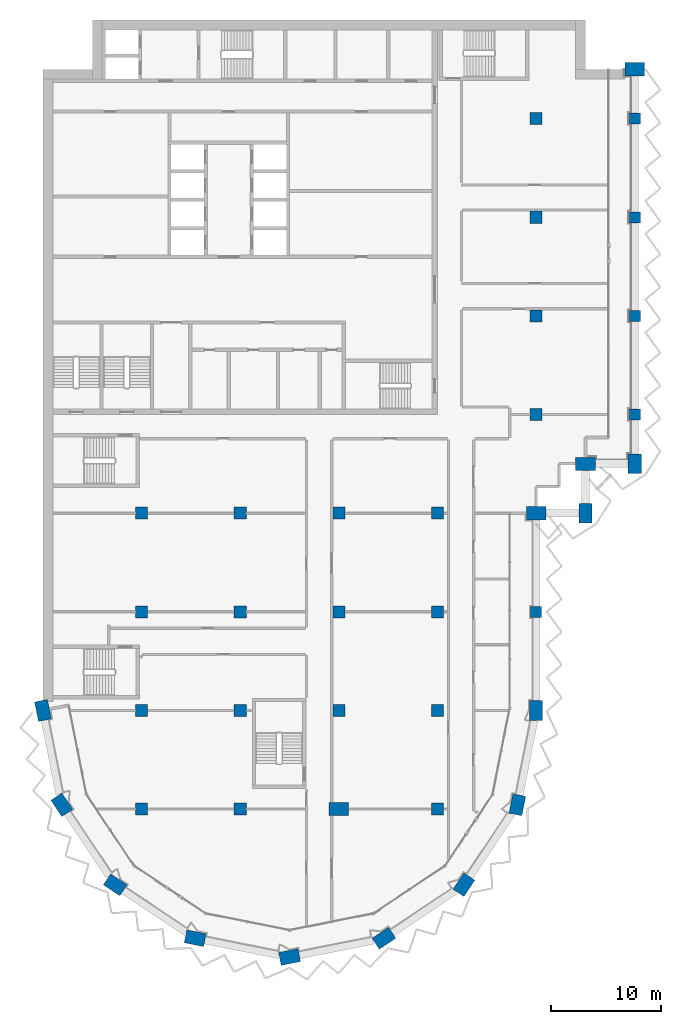
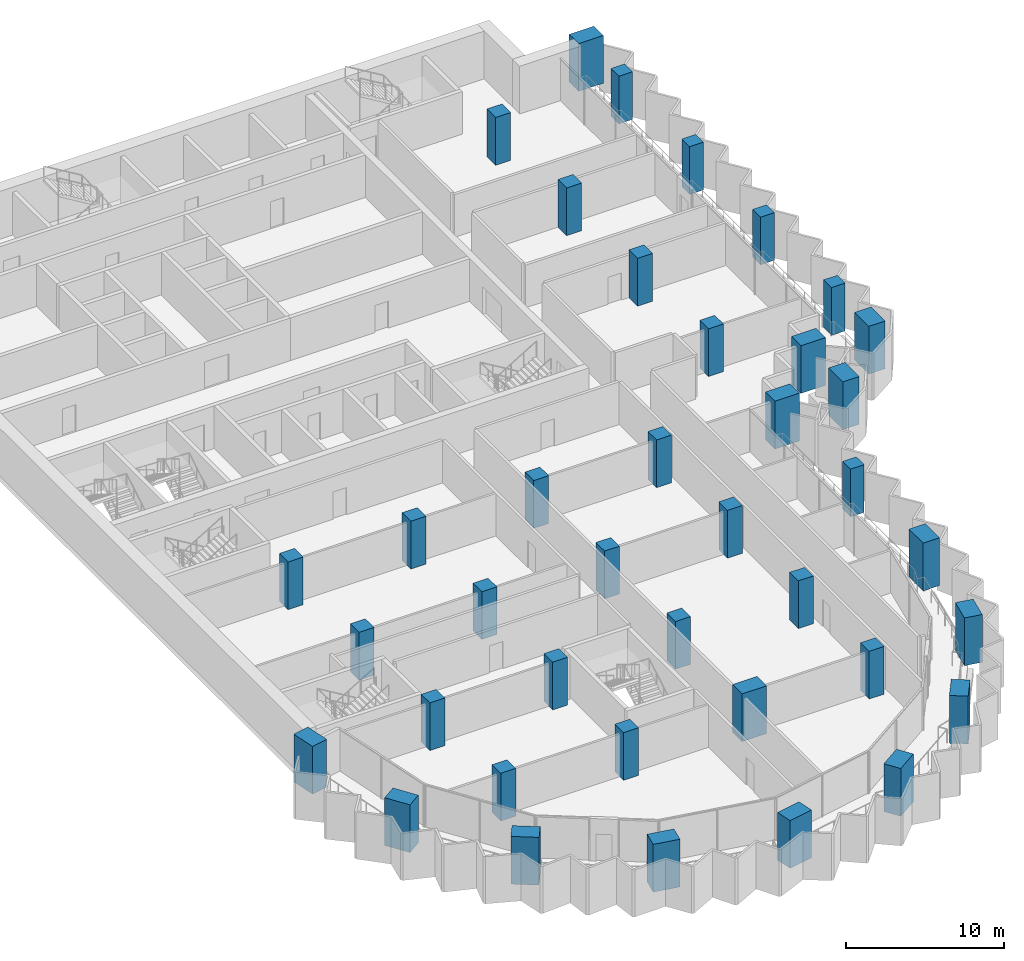
# One storey, part 1 of 17: 39 columns.
"""IFC4 building model written with IfcOpenShell, lengths in metres."""

from ifc_helpers import new_model, si_unit, direction, frame, origin, origin_2d, place, context, subcontext, project, spatial, rectangle, extrude, material, material_profile, profile_set, type_object, element, save


model = new_model("IFC4")

# Units and contexts
model_context = context("Model", 3, precision=1e-05, world=origin(), true_north=direction((0.0, 1.0)))
body_context = subcontext(model_context, "Body", "Model", "MODEL_VIEW")
ifc_project = project(units=[si_unit("LENGTHUNIT", "METRE"), si_unit("AREAUNIT", "SQUARE_METRE"), si_unit("VOLUMEUNIT", "CUBIC_METRE"), si_unit("PLANEANGLEUNIT", "RADIAN"), si_unit("MASSUNIT", "GRAM", prefix="KILO")], contexts=[model_context])

# Site, building, storey
site_placement = place(None, origin())
site = spatial("IfcSite", under=ifc_project, at=site_placement, CompositionType="ELEMENT")
building_placement = place(site_placement, origin())
building = spatial("IfcBuilding", under=site, at=building_placement, Name="Hunhe Ridgeline Campus", CompositionType="ELEMENT")
storey_placement = place(building_placement, frame((0.0, 0.0, 201.300048828125)))
storey = spatial("IfcBuildingStorey", under=building, at=storey_placement, Name="L51", CompositionType="ELEMENT", Elevation=201.300048828125)

# Columns
ifc_material = material(Name="Concrete C60", Category="concrete")
ifc_material_profile_1 = material_profile(ifc_material, rectangle(XDim=1.800048828125, YDim=1.199951171875, at=origin_2d()))
ifc_profile_set_1 = profile_set([ifc_material_profile_1], Name="Concrete C60")
column_type_1 = type_object("IfcColumnType", Name="Megacolumn 1800x1200 Concrete C60", PredefinedType="COLUMN", material=ifc_profile_set_1)
for number, where, z_axis, x_axis, name in (
    (1, (22.5, 13.5, 0.0), (0.0, 0.0, 1.0), (0.980785280403, 0.195090322016, 0.0), "Column C11 R6 L51"),
    (2, (13.8896484375, 15.212646484375, 0.0), (0.0, 0.0, 1.0), (-0.980785280403, 0.195090322016, 0.0), "Column C11 R7 L51"),
    (3, (31.1103515625, 15.212646484375, 0.0), (0.0, 0.0, 1.0), (0.831469612303, 0.55557023302, 0.0), "Column C11 R8 L51"),
    (4, (6.590087890625, 20.090087890625, 0.0), (0.0, 0.0, 1.0), (-0.831469612303, 0.55557023302, 0.0), "Column C11 R11 L51"),
    (5, (38.409912109375, 20.090087890625, 0.0), (0.0, 0.0, 1.0), (0.55557023302, 0.831469612303, 0.0), "Column C11 R12 L51"),
    (6, (1.712646484375, 27.3896484375, 0.0), (0.0, 0.0, 1.0), (-0.55557023302, 0.831469612303, 0.0), "Column C11 R16 L51"),
    (7, (43.287353515625, 27.3896484375, 0.0), (0.0, 0.0, 1.0), (0.195090322016, 0.980785280403, 0.0), "Column C11 R17 L51"),
    (8, (0.0, 36.0, 0.0), (0.0, 0.0, 1.0), (-0.195090322016, 0.980785280403, 0.0), "Column C11 E1 L51"),
    (9, (45.0, 36.0, 0.0), (0.0, 0.0, 1.0), (0.0, 1.0, 0.0), "Column C11 E6 L51"),
    (10, (45.0, 54.0, 0.0), (0.0, 0.0, 1.0), (1.0, 0.0, 0.0), "Column C11 G6 L51"),
    (11, (49.5, 54.0, 0.0), (0.0, 0.0, 1.0), (0.0, 1.0, 0.0), "Column C11 R29 L51"),
    (12, (49.5, 58.5, 0.0), (0.0, 0.0, 1.0), (1.0, 0.0, 0.0), "Column C11 R33 L51"),
    (13, (54.0, 58.5, 0.0), (0.0, 0.0, 1.0), (0.0, 1.0, 0.0), "Column C11 R34 L51"),
    (14, (54.0, 94.5, 0.0), (0.0, 0.0, 1.0), (1.0, 0.0, 0.0), "Column C11 R41 L51"),
    (15, (27.0, 27.0, 0.0), (0.0, 0.0, 1.0), (1.0, 0.0, 0.0), "Column C11 D4 L51"),
):
    element("IfcColumn", number, at=place(storey_placement, frame(where, z_axis=z_axis, x_axis=x_axis)), inside=storey, type_object=column_type_1, Name=name, PredefinedType="COLUMN", context=body_context, shape_type="SweptSolid", body=[
        extrude(rectangle(XDim=1.800048828125, YDim=1.199951171875, at=origin_2d()), origin(), (0.0, 0.0, 1.0), 3.699951171875),
    ])
ifc_material_profile_2 = material_profile(ifc_material, rectangle(XDim=1.0, YDim=1.0, at=origin_2d()))
ifc_profile_set_2 = profile_set([ifc_material_profile_2], Name="Concrete C60")
column_type_2 = type_object("IfcColumnType", Name="RC column 1000x1000 Concrete C60", PredefinedType="COLUMN", material=ifc_profile_set_2)
for number, where, z_axis, x_axis, name in (
    (16, (45.0, 45.0, 0.0), (0.0, 0.0, 1.0), (1.0, 0.0, 0.0), "Column C12 F6 L51"),
    (17, (54.0, 63.0, 0.0), (0.0, 0.0, 1.0), (1.0, 0.0, 0.0), "Column C12 H7 L51"),
    (18, (54.0, 72.0, 0.0), (0.0, 0.0, 1.0), (1.0, 0.0, 0.0), "Column C12 I7 L51"),
    (19, (54.0, 81.0, 0.0), (0.0, 0.0, 1.0), (1.0, 0.0, 0.0), "Column C12 J7 L51"),
    (20, (54.0, 90.0, 0.0), (0.0, 0.0, 1.0), (1.0, 0.0, 0.0), "Column C12 K7 L51"),
):
    element("IfcColumn", number, at=place(storey_placement, frame(where, z_axis=z_axis, x_axis=x_axis)), inside=storey, type_object=column_type_2, Name=name, PredefinedType="COLUMN", context=body_context, shape_type="SweptSolid", body=[
        extrude(rectangle(XDim=1.0, YDim=1.0, at=origin_2d()), origin(), (0.0, 0.0, 1.0), 3.699951171875),
    ])
ifc_material_profile_3 = material_profile(ifc_material, rectangle(XDim=1.10009765625, YDim=1.10009765625, at=origin_2d()))
ifc_profile_set_3 = profile_set([ifc_material_profile_3], Name="Concrete C60")
column_type_3 = type_object("IfcColumnType", Name="RC column 1100x1100 Concrete C60", PredefinedType="COLUMN", material=ifc_profile_set_3)
for number, where, z_axis, x_axis, name in (
    (21, (9.0, 27.0, 0.0), (0.0, 0.0, 1.0), (1.0, 0.0, 0.0), "Column C13 D2 L51"),
    (22, (9.0, 36.0, 0.0), (0.0, 0.0, 1.0), (1.0, 0.0, 0.0), "Column C13 E2 L51"),
    (23, (9.0, 45.0, 0.0), (0.0, 0.0, 1.0), (1.0, 0.0, 0.0), "Column C13 F2 L51"),
    (24, (9.0, 54.0, 0.0), (0.0, 0.0, 1.0), (1.0, 0.0, 0.0), "Column C13 G2 L51"),
    (25, (18.0, 27.0, 0.0), (0.0, 0.0, 1.0), (1.0, 0.0, 0.0), "Column C13 D3 L51"),
    (26, (18.0, 36.0, 0.0), (0.0, 0.0, 1.0), (1.0, 0.0, 0.0), "Column C13 E3 L51"),
    (27, (18.0, 45.0, 0.0), (0.0, 0.0, 1.0), (1.0, 0.0, 0.0), "Column C13 F3 L51"),
    (28, (18.0, 54.0, 0.0), (0.0, 0.0, 1.0), (1.0, 0.0, 0.0), "Column C13 G3 L51"),
    (29, (27.0, 36.0, 0.0), (0.0, 0.0, 1.0), (1.0, 0.0, 0.0), "Column C13 E4 L51"),
    (30, (27.0, 45.0, 0.0), (0.0, 0.0, 1.0), (1.0, 0.0, 0.0), "Column C13 F4 L51"),
    (31, (27.0, 54.0, 0.0), (0.0, 0.0, 1.0), (1.0, 0.0, 0.0), "Column C13 G4 L51"),
    (32, (36.0, 27.0, 0.0), (0.0, 0.0, 1.0), (1.0, 0.0, 0.0), "Column C13 D5 L51"),
    (33, (36.0, 36.0, 0.0), (0.0, 0.0, 1.0), (1.0, 0.0, 0.0), "Column C13 E5 L51"),
    (34, (36.0, 45.0, 0.0), (0.0, 0.0, 1.0), (1.0, 0.0, 0.0), "Column C13 F5 L51"),
    (35, (36.0, 54.0, 0.0), (0.0, 0.0, 1.0), (1.0, 0.0, 0.0), "Column C13 G5 L51"),
    (36, (45.0, 63.0, 0.0), (0.0, 0.0, 1.0), (1.0, 0.0, 0.0), "Column C13 H6 L51"),
    (37, (45.0, 72.0, 0.0), (0.0, 0.0, 1.0), (1.0, 0.0, 0.0), "Column C13 I6 L51"),
    (38, (45.0, 81.0, 0.0), (0.0, 0.0, 1.0), (1.0, 0.0, 0.0), "Column C13 J6 L51"),
    (39, (45.0, 90.0, 0.0), (0.0, 0.0, 1.0), (1.0, 0.0, 0.0), "Column C13 K6 L51"),
):
    element("IfcColumn", number, at=place(storey_placement, frame(where, z_axis=z_axis, x_axis=x_axis)), inside=storey, type_object=column_type_3, Name=name, PredefinedType="COLUMN", context=body_context, shape_type="SweptSolid", body=[
        extrude(rectangle(XDim=1.10009765625, YDim=1.10009765625, at=origin_2d()), origin(), (0.0, 0.0, 1.0), 3.699951171875),
    ])

save(model, "model.ifc")
